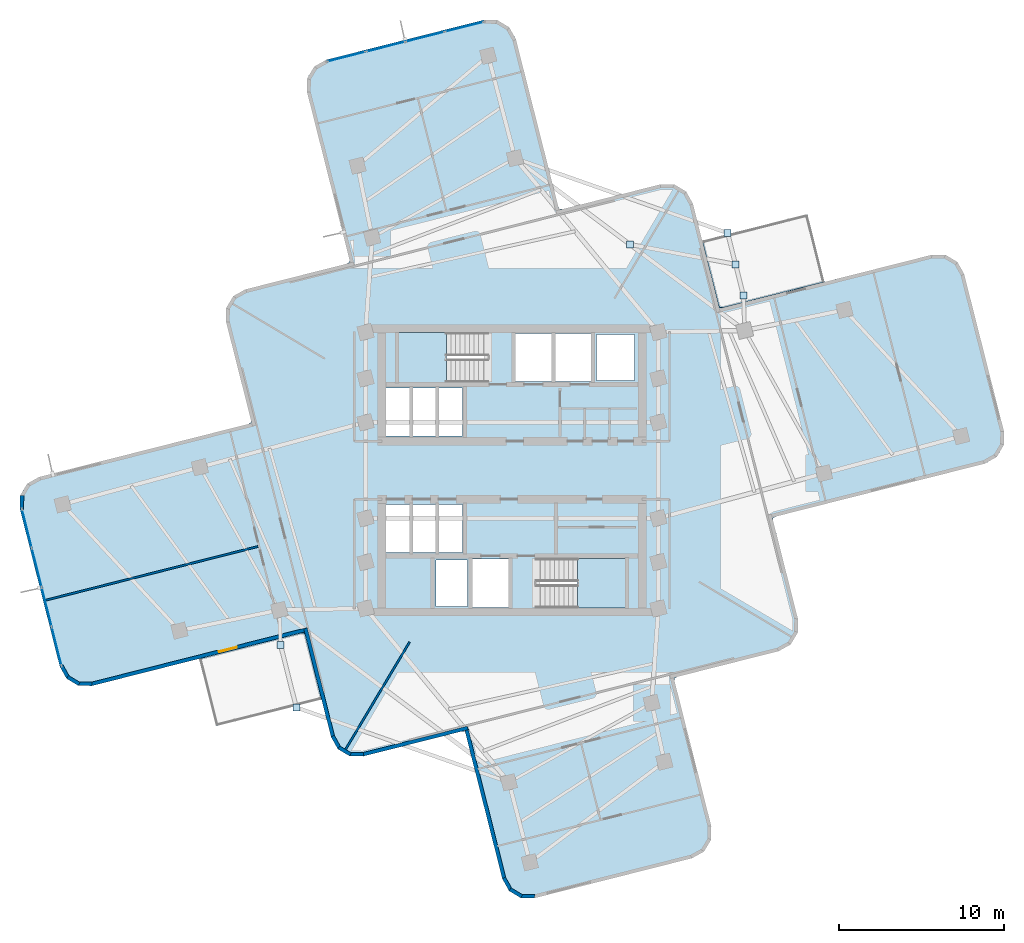
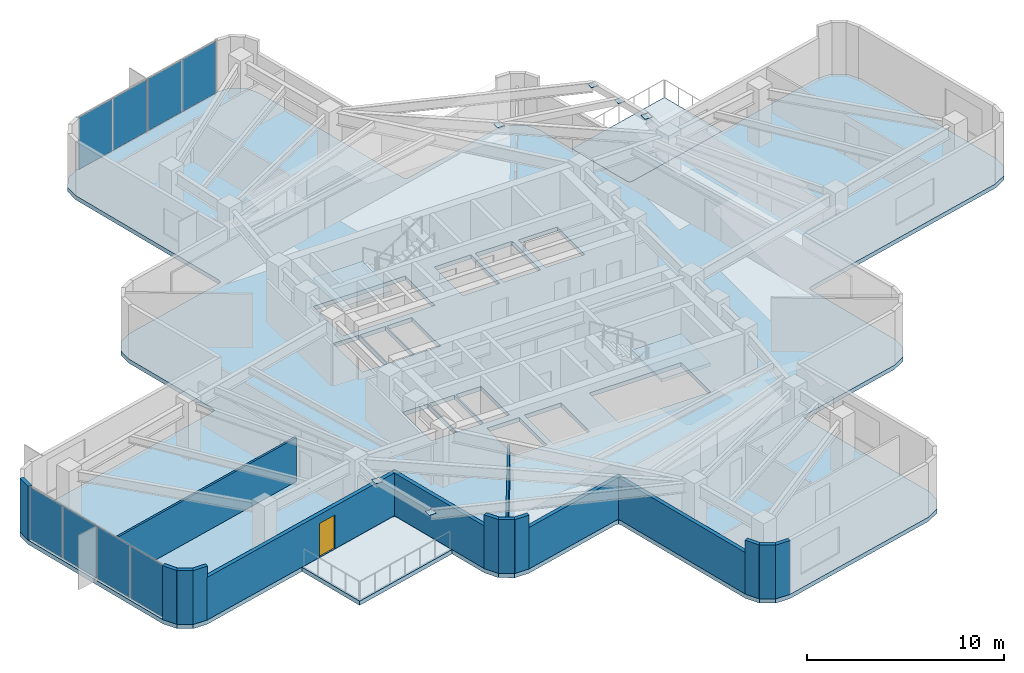
# One storey, part 5 of 11: 16 walls, 14 plates, 5 slabs, 1 door, 1 opening, 4 elements without a shape of their own.
"""IFC4 building model written with IfcOpenShell, lengths in metres."""

from ifc_helpers import new_model, si_unit, direction, frame, frame_2d, origin, origin_2d, place, context, subcontext, project, spatial, polyline, rectangle, outline, extrude, material, layer, layer_set, type_object, element, fill, aggregate, save


model = new_model("IFC4")

# Units and contexts
model_context = context("Model", 3, precision=1e-05, world=origin(), true_north=direction((0.0, 1.0)))
body_context = subcontext(model_context, "Body", "Model", "MODEL_VIEW")
ifc_project = project(units=[si_unit("LENGTHUNIT", "METRE"), si_unit("AREAUNIT", "SQUARE_METRE"), si_unit("VOLUMEUNIT", "CUBIC_METRE"), si_unit("PLANEANGLEUNIT", "RADIAN"), si_unit("MASSUNIT", "GRAM", prefix="KILO")], contexts=[model_context])

# Site, building, storey
site_placement = place(None, origin())
site = spatial("IfcSite", under=ifc_project, at=site_placement, CompositionType="ELEMENT")
building_placement = place(site_placement, origin())
building = spatial("IfcBuilding", under=site, at=building_placement, Name="Solmarez Civic Tower", CompositionType="ELEMENT")
storey_placement = place(building_placement, frame((0.0, 0.0, 127.080078125)))
storey = spatial("IfcBuildingStorey", under=building, at=storey_placement, Name="L33", CompositionType="ELEMENT", Elevation=127.080078125)

# Curtain wall, plates
ifc_material_1 = material(Name="Bronze Anodised Aluminium EN AW-6063 T6", Category="aluminium")
ifc_layer_1 = layer(ifc_material_1, 0.155029296875)
ifc_layer_set_1 = layer_set([ifc_layer_1], Name="Bronze Anodised Aluminium EN AW-6063 T6")
curtain_wall_type = type_object("IfcCurtainWallType", Name="CW-SYS-6", PredefinedType="NOTDEFINED", material=ifc_layer_set_1)
curtain_wall_1_placement = place(storey_placement, origin())
curtain_wall_1 = element("IfcCurtainWall", 1, at=curtain_wall_1_placement, inside=storey, type_object=curtain_wall_type, Name="L33 Stick-Built Curtain Wall 1", PredefinedType="NOTDEFINED")
ifc_material_2 = material(Name="Solar Control Low-E Laminated Vision Glass", Category="glass")
ifc_layer_2 = layer(ifc_material_2, 0.031982421875)
ifc_layer_set_2 = layer_set([ifc_layer_2], Name="Solar Control Low-E Laminated Vision Glass")
plate_type_1 = type_object("IfcPlateType", Name="CWP-GLAZ-32", PredefinedType="CURTAIN_PANEL", material=ifc_layer_set_2)
plate_1_placement = place(storey_placement, frame((-27.52099609375, -10.638427734375, 0.06005859375), z_axis=(0.0, 0.0, 1.0), x_axis=(-0.245308234417, 0.969445135181, 0.0)))
plate_1 = element("IfcPlate", 2, at=plate_1_placement, type_object=plate_type_1, Name="CWS6 panel 1.1", PredefinedType="CURTAIN_PANEL", context=body_context, shape_type="SweptSolid", body=[
    extrude(rectangle(XDim=2.355224609375, YDim=0.031982421875, at=origin_2d()), origin(), (0.0, 0.0, 1.0), 3.219970703125),
])
plate_2_placement = place(storey_placement, frame((-28.120361328125, -8.2705078125, 0.06005859375), z_axis=(0.0, 0.0, 1.0), x_axis=(-0.245308234417, 0.969445135181, 0.0)))
plate_2 = element("IfcPlate", 3, at=plate_2_placement, type_object=plate_type_1, Name="CWS6 panel 2.1", PredefinedType="CURTAIN_PANEL", context=body_context, shape_type="SweptSolid", body=[
    extrude(rectangle(XDim=2.39013671875, YDim=0.031982421875, at=origin_2d()), origin(), (0.0, 0.0, 1.0), 3.219970703125),
])
plate_3_placement = place(storey_placement, frame((-28.7236328125, -5.885498046875, 0.06005859375), z_axis=(0.0, 0.0, 1.0), x_axis=(-0.245308234417, 0.969445135181, 0.0)))
plate_3 = element("IfcPlate", 4, at=plate_3_placement, type_object=plate_type_1, Name="CWS6 panel 3.1", PredefinedType="CURTAIN_PANEL", context=body_context, shape_type="SweptSolid", body=[
    extrude(rectangle(XDim=2.39013671875, YDim=0.031982421875, at=origin_2d()), origin(), (0.0, 0.0, 1.0), 3.219970703125),
])
plate_4_placement = place(storey_placement, frame((-29.322998046875, -3.517578125, 0.06005859375), z_axis=(0.0, 0.0, 1.0), x_axis=(-0.245308234417, 0.969445135181, 0.0)))
plate_4 = element("IfcPlate", 5, at=plate_4_placement, type_object=plate_type_1, Name="CWS6 panel 4.1", PredefinedType="CURTAIN_PANEL", context=body_context, shape_type="SweptSolid", body=[
    extrude(rectangle(XDim=2.355224609375, YDim=0.031982421875, at=origin_2d()), origin(), (0.0, 0.0, 1.0), 3.219970703125),
])
aggregate(curtain_wall_1, [plate_1, plate_2, plate_3, plate_4])

curtain_wall_2_placement = place(storey_placement, origin())
curtain_wall_2 = element("IfcCurtainWall", 6, at=curtain_wall_2_placement, inside=storey, type_object=curtain_wall_type, Name="L33 Stick-Built Curtain Wall 2", PredefinedType="NOTDEFINED")
plate_5_placement = place(storey_placement, frame((-10.00146484375, 25.0009765625, 0.06005859375), z_axis=(0.0, 0.0, 1.0), x_axis=(0.969469297383, 0.245212726897, 0.0)))
plate_5 = element("IfcPlate", 7, at=plate_5_placement, type_object=plate_type_1, Name="CWS6 panel 1.1", PredefinedType="CURTAIN_PANEL", context=body_context, shape_type="SweptSolid", body=[
    extrude(rectangle(XDim=2.355224609375, YDim=0.031982421875, at=origin_2d()), origin(), (0.0, 0.0, 1.0), 3.219970703125),
])
plate_6_placement = place(storey_placement, frame((-7.633544921875, 25.599853515625, 0.06005859375), z_axis=(0.0, 0.0, 1.0), x_axis=(0.969469297383, 0.245212726897, 0.0)))
plate_6 = element("IfcPlate", 8, at=plate_6_placement, type_object=plate_type_1, Name="CWS6 panel 2.1", PredefinedType="CURTAIN_PANEL", context=body_context, shape_type="SweptSolid", body=[
    extrude(rectangle(XDim=2.39013671875, YDim=0.031982421875, at=origin_2d()), origin(), (0.0, 0.0, 1.0), 3.219970703125),
])
plate_7_placement = place(storey_placement, frame((-5.24853515625, 26.203125, 0.06005859375), z_axis=(0.0, 0.0, 1.0), x_axis=(0.969469297383, 0.245212726897, 0.0)))
plate_7 = element("IfcPlate", 9, at=plate_7_placement, type_object=plate_type_1, Name="CWS6 panel 3.1", PredefinedType="CURTAIN_PANEL", context=body_context, shape_type="SweptSolid", body=[
    extrude(rectangle(XDim=2.39013671875, YDim=0.031982421875, at=origin_2d()), origin(), (0.0, 0.0, 1.0), 3.219970703125),
])
plate_8_placement = place(storey_placement, frame((-2.88037109375, 26.802001953125, 0.06005859375), z_axis=(0.0, 0.0, 1.0), x_axis=(0.969469297383, 0.245212726897, 0.0)))
plate_8 = element("IfcPlate", 10, at=plate_8_placement, type_object=plate_type_1, Name="CWS6 panel 4.1", PredefinedType="CURTAIN_PANEL", context=body_context, shape_type="SweptSolid", body=[
    extrude(rectangle(XDim=2.355224609375, YDim=0.031982421875, at=origin_2d()), origin(), (0.0, 0.0, 1.0), 3.219970703125),
])
aggregate(curtain_wall_2, [plate_5, plate_6, plate_7, plate_8])

# Plates
ifc_material_3 = material(Name="Steel S355", Category="steel")
ifc_layer_3 = layer(ifc_material_3, 0.02392578125)
ifc_layer_set_3 = layer_set([ifc_layer_3], Name="Steel S355")
plate_type_2 = type_object("IfcPlateType", Name="PLT-CAP-380", PredefinedType="USERDEFINED", material=ifc_layer_set_3)
for number, where, z_axis, x_axis, name in (
    (11, (13.988037109375, 10.553955078125, 3.1279296875), (0.0, 0.0, 1.0), (1.0, 0.0, 0.0), "Steel Member End Cap Plate CAP-BM-L33-BALC-NEE-0"),
    (12, (13.031982421875, 14.3349609375, 3.1279296875), (0.0, 0.0, 1.0), (1.0, 0.0, 0.0), "Steel Member End Cap Plate CAP-BM-L33-BALC-NEE-1"),
    (13, (7.123046875, 13.652099609375, 3.1279296875), (0.0, 0.0, 1.0), (1.0, 0.0, 0.0), "Steel Member End Cap Plate CAP-BM-L33-BALC-NEM-0"),
    (14, (13.510009765625, 12.445068359375, 3.1279296875), (0.0, 0.0, 1.0), (1.0, 0.0, 0.0), "Steel Member End Cap Plate CAP-BM-L33-BALC-NEM-1"),
    (15, (-13.988037109375, -10.553955078125, 3.1279296875), (0.0, 0.0, 1.0), (1.0, 0.0, 0.0), "Steel Member End Cap Plate CAP-BM-L33-BALC-SWE-0"),
    (16, (-13.031982421875, -14.3349609375, 3.1279296875), (0.0, 0.0, 1.0), (1.0, 0.0, 0.0), "Steel Member End Cap Plate CAP-BM-L33-BALC-SWE-1"),
):
    element("IfcPlate", number, at=place(storey_placement, frame(where, z_axis=z_axis, x_axis=x_axis)), inside=storey, type_object=plate_type_2, Name=name, ObjectType="CAP_PLATE", PredefinedType="USERDEFINED", context=body_context, shape_type="SweptSolid", body=[
        extrude(rectangle(XDim=0.419921875, YDim=0.419921875, at=origin_2d()), origin(), (0.0, 0.0, 1.0), 0.02392578125),
    ])

# Stair, slab
ifc_material_4 = material(Name="Concrete C50/60", Category="concrete")
stair_type = type_object("IfcStairType", Name="STAIR-DOGLEG-140W-20R-1800", PredefinedType="HALF_TURN_STAIR", material=ifc_material_4)
stair_1_placement = place(storey_placement, origin())
stair_1 = element("IfcStair", 17, at=stair_1_placement, inside=storey, type_object=stair_type, Name="L33 North Core Protected Exit Stair ST-1", PredefinedType="HALF_TURN_STAIR")
ifc_layer_4 = layer(ifc_material_4, 0.199951171875)
ifc_layer_set_4 = layer_set([ifc_layer_4], Name="Concrete C50/60")
slab_type_1 = type_object("IfcSlabType", Name="SLAB-LANDING-200", PredefinedType="LANDING", material=ifc_layer_set_4)
slab_1_placement = place(storey_placement, frame((0.0, 0.0, 1.599853515625)))
slab_1 = element("IfcSlab", 18, at=slab_1_placement, type_object=slab_type_1, Name="ST-1 landing 1", PredefinedType="LANDING", context=body_context, shape_type="SweptSolid", body=[
    extrude(outline(polyline([(-3.969970703125, 8.320068359375), (-6.85009765625, 8.320068359375), (-6.85009765625, 5.320068359375), (-3.969970703125, 5.320068359375), (-3.969970703125, 8.320068359375)])), origin(), (0.0, 0.0, 1.0), 0.199951171875),
])
aggregate(stair_1, [slab_1])

stair_2_placement = place(storey_placement, origin())
stair_2 = element("IfcStair", 19, at=stair_2_placement, inside=storey, type_object=stair_type, Name="L33 South Core Protected Exit Stair ST-2", PredefinedType="HALF_TURN_STAIR")
slab_2_placement = place(storey_placement, frame((0.0, 0.0, 1.599853515625)))
slab_2 = element("IfcSlab", 20, at=slab_2_placement, type_object=slab_type_1, Name="ST-2 landing 1", PredefinedType="LANDING", context=body_context, shape_type="SweptSolid", body=[
    extrude(outline(polyline([(3.969970703125, -8.320068359375), (6.85009765625, -8.320068359375), (6.85009765625, -5.320068359375), (3.969970703125, -5.320068359375), (3.969970703125, -8.320068359375)])), origin(), (0.0, 0.0, 1.0), 0.199951171875),
])
aggregate(stair_2, [slab_2])

# Slabs
ifc_layer_5 = layer(ifc_material_4, 0.260009765625)
ifc_layer_set_5 = layer_set([ifc_layer_5], Name="Concrete C50/60")
slab_type_2 = type_object("IfcSlabType", Name="SLAB-TOWER-260", PredefinedType="FLOOR", material=ifc_layer_set_5)
slab_3_placement = place(storey_placement, frame((0.0, 0.0, -0.260009765625)))
element("IfcSlab", 21, at=slab_3_placement, inside=storey, type_object=slab_type_2, Name="L33 Structural Slab", PredefinedType="FLOOR", context=body_context, shape_type="SweptSolid", body=[
    extrude(outline(polyline([(-12.48388671875, -9.97802734375), (-10.928955078125, -16.1240234375), (-10.52490234375, -16.846923828125), (-9.81298828125, -17.27099609375), (-8.985107421875, -17.281982421875), (-3.052978515625, -15.781005859375), (-2.881103515625, -15.782958984375), (-2.797119140625, -15.93408203125), (-0.5791015625, -24.697021484375), (-0.175048828125, -25.419921875), (0.535888671875, -25.843994140625), (1.364013671875, -25.85498046875), (10.884033203125, -23.446044921875), (11.60693359375, -23.0419921875), (12.031005859375, -22.3310546875), (12.04296875, -21.5029296875), (9.824951171875, -12.739990234375), (9.827880859375, -12.568115234375), (9.97802734375, -12.48388671875), (16.1240234375, -10.928955078125), (16.846923828125, -10.52490234375), (17.27099609375, -9.81298828125), (17.281982421875, -8.985107421875), (15.781005859375, -3.052978515625), (15.782958984375, -2.881103515625), (15.93408203125, -2.797119140625), (28.574951171875, 0.402099609375), (29.297119140625, 0.805908203125), (29.721923828125, 1.51708984375), (29.73291015625, 2.344970703125), (27.323974609375, 11.864990234375), (26.919921875, 12.587890625), (26.208984375, 13.011962890625), (25.381103515625, 13.02392578125), (12.739990234375, 9.824951171875), (12.568115234375, 9.827880859375), (12.48388671875, 9.97802734375), (10.928955078125, 16.1240234375), (10.52490234375, 16.846923828125), (9.81298828125, 17.27099609375), (8.985107421875, 17.281982421875), (3.052978515625, 15.781005859375), (2.881103515625, 15.782958984375), (2.797119140625, 15.93408203125), (0.236083984375, 26.053955078125), (-0.16796875, 26.777099609375), (-0.87890625, 27.200927734375), (-1.7080078125, 27.212890625), (-11.22802734375, 24.803955078125), (-11.950927734375, 24.39990234375), (-12.375, 23.68798828125), (-12.385986328125, 22.860107421875), (-9.824951171875, 12.739990234375), (-9.827880859375, 12.568115234375), (-9.97802734375, 12.48388671875), (-16.1240234375, 10.928955078125), (-16.846923828125, 10.52490234375), (-17.27099609375, 9.81298828125), (-17.281982421875, 8.985107421875), (-15.781005859375, 3.052978515625), (-15.782958984375, 2.881103515625), (-15.93408203125, 2.797119140625), (-28.574951171875, -0.402099609375), (-29.297119140625, -0.805908203125), (-29.721923828125, -1.51708984375), (-29.73291015625, -2.344970703125), (-27.323974609375, -11.864990234375), (-26.919921875, -12.587890625), (-26.208984375, -13.011962890625), (-25.381103515625, -13.02392578125), (-12.739990234375, -9.824951171875), (-12.568115234375, -9.827880859375), (-12.48388671875, -9.97802734375)]), holes=[polyline([(-1.449951171875, 8.320068359375), (-6.85009765625, 8.320068359375), (-6.85009765625, 5.320068359375), (-1.449951171875, 5.320068359375), (-1.449951171875, 8.320068359375)]), polyline([(1.449951171875, -8.320068359375), (6.85009765625, -8.320068359375), (6.85009765625, -5.320068359375), (1.449951171875, -5.320068359375), (1.449951171875, -8.320068359375)]), polyline([(0.219970703125, 5.360107421875), (2.3798828125, 5.360107421875), (2.3798828125, 8.280029296875), (0.219970703125, 8.280029296875), (0.219970703125, 5.360107421875)]), polyline([(2.6201171875, 5.360107421875), (4.780029296875, 5.360107421875), (4.780029296875, 8.280029296875), (2.6201171875, 8.280029296875), (2.6201171875, 5.360107421875)]), polyline([(-2.3798828125, -8.280029296875), (-0.219970703125, -8.280029296875), (-0.219970703125, -5.360107421875), (-2.3798828125, -5.360107421875), (-2.3798828125, -8.280029296875)]), polyline([(-7.60009765625, -4.9599609375), (-6.1201171875, -4.9599609375), (-6.1201171875, -2.06005859375), (-7.60009765625, -2.06005859375), (-7.60009765625, -4.9599609375)]), polyline([(-6.0400390625, -4.9599609375), (-4.56005859375, -4.9599609375), (-4.56005859375, -2.06005859375), (-6.0400390625, -2.06005859375), (-6.0400390625, -4.9599609375)]), polyline([(-4.47998046875, -4.9599609375), (-3.0, -4.9599609375), (-3.0, -2.06005859375), (-4.47998046875, -2.06005859375), (-4.47998046875, -4.9599609375)]), polyline([(-7.60009765625, 2.06005859375), (-6.1201171875, 2.06005859375), (-6.1201171875, 4.9599609375), (-7.60009765625, 4.9599609375), (-7.60009765625, 2.06005859375)]), polyline([(-6.0400390625, 2.06005859375), (-4.56005859375, 2.06005859375), (-4.56005859375, 4.9599609375), (-6.0400390625, 4.9599609375), (-6.0400390625, 2.06005859375)]), polyline([(-4.47998046875, 2.06005859375), (-3.0, 2.06005859375), (-3.0, 4.9599609375), (-4.47998046875, 4.9599609375), (-4.47998046875, 2.06005859375)]), polyline([(5.10009765625, 5.419921875), (7.39990234375, 5.419921875), (7.39990234375, 8.219970703125), (5.10009765625, 8.219970703125), (5.10009765625, 5.419921875)]), polyline([(-4.60009765625, -8.219970703125), (-2.699951171875, -8.219970703125), (-2.699951171875, -5.419921875), (-4.60009765625, -5.419921875), (-4.60009765625, -8.219970703125)])]), origin(), (0.0, 0.0, 1.0), 0.260009765625),
])
slab_4_placement = place(storey_placement, frame((0.0, 0.0, -0.260009765625)))
element("IfcSlab", 22, at=slab_4_placement, inside=storey, type_object=slab_type_2, Name="L33 Re-entrant Corner Winter-Garden Balcony NE", PredefinedType="FLOOR", context=body_context, shape_type="SweptSolid", body=[
    extrude(outline(polyline([(11.507080078125, 13.845947265625), (12.486083984375, 9.97900390625), (12.569091796875, 9.830078125), (12.739013671875, 9.826904296875), (18.885009765625, 11.382080078125), (17.85498046875, 15.451904296875), (11.507080078125, 13.845947265625)])), origin(), (0.0, 0.0, 1.0), 0.260009765625),
])
slab_5_placement = place(storey_placement, frame((0.0, 0.0, -0.260009765625)))
element("IfcSlab", 23, at=slab_5_placement, inside=storey, type_object=slab_type_2, Name="L33 Re-entrant Corner Winter-Garden Balcony SW", PredefinedType="FLOOR", context=body_context, shape_type="SweptSolid", body=[
    extrude(outline(polyline([(-11.507080078125, -13.845947265625), (-12.486083984375, -9.97900390625), (-12.569091796875, -9.830078125), (-12.739013671875, -9.826904296875), (-18.885009765625, -11.382080078125), (-17.85498046875, -15.451904296875), (-11.507080078125, -13.845947265625)])), origin(), (0.0, 0.0, 1.0), 0.260009765625),
])

# Wall, opening, door
ifc_material_5 = material(Name="Precast concrete C40/50", Category="concrete")
ifc_layer_6 = layer(ifc_material_5, 0.219970703125)
ifc_layer_set_6 = layer_set([ifc_layer_6], Name="Precast concrete C40/50")
wall_type_1 = type_object("IfcWallType", Name="WALL-EXT-220", PredefinedType="SOLIDWALL", material=ifc_layer_set_6)
wall_1_placement = place(storey_placement, frame((-12.37109375, -9.617919921875, 0.0), z_axis=(0.0, 0.0, 1.0), x_axis=(-0.969434127448, -0.245351732293, 0.0)))
wall_1 = element("IfcWall", 24, at=wall_1_placement, inside=storey, type_object=wall_type_1, Name="L33 Exterior Precast Wall 2", PredefinedType="SOLIDWALL", context=body_context, shape_type="SweptSolid", body=[
    extrude(rectangle(XDim=13.458251953125, YDim=0.219970703125, at=frame_2d((6.72900390625, 0.0))), origin(), (0.0, 0.0, 1.0), 2.64404296875),
])
opening_placement = place(wall_1_placement, frame((4.39990234375, 0.0, 0.0)))
opening = element("IfcOpeningElement", 25, at=opening_placement, cuts=wall_1, Name="Opening D-06", PredefinedType="OPENING", context=body_context, shape_type="SweptSolid", body=[
    extrude(rectangle(XDim=1.10009765625, YDim=2.10009765625, at=frame_2d((0.550048828125, 1.050048828125))), frame((0.0, 0.119873046875, 0.0), z_axis=(0.0, -1.0, 0.0), x_axis=(1.0, 0.0, 0.0)), (0.0, 0.0, 1.0), 0.239990234375),
])
ifc_material_6 = material(Name="Bronze Anodised Aluminium Glazed Terrace Door", Category="aluminium")
door_type = type_object("IfcDoorType", Name="DOOR-TERR-1100", OperationType="NOTDEFINED", PredefinedType="DOOR", material=ifc_material_6)
door_placement = place(opening_placement, origin())
door = element("IfcDoor", 26, at=door_placement, inside=storey, type_object=door_type, Name="L33 Outdoor Terrace Glazed Door", OperationType="SINGLE_SWING_RIGHT", OverallHeight=2.10009765625, OverallWidth=1.10009765625, PredefinedType="DOOR", context=body_context, shape_type="SweptSolid", body=[
    extrude(rectangle(XDim=1.10009765625, YDim=2.10009765625, at=frame_2d((0.550048828125, 1.050048828125))), frame((0.0, 0.02490234375, 0.0), z_axis=(0.0, -1.0, 0.0), x_axis=(1.0, 0.0, 0.0)), (0.0, 0.0, 1.0), 0.050048828125),
])
fill(opening, door)

# Walls
wall_2_placement = place(storey_placement, frame((-25.368896484375, -12.9140625, 0.0), z_axis=(0.0, 0.0, 1.0), x_axis=(-0.999913243347, 0.013172159236, 0.0)))
element("IfcWall", 27, at=wall_2_placement, inside=storey, type_object=wall_type_1, Name="L33 Exterior Precast Wall 3", PredefinedType="SOLIDWALL", context=body_context, shape_type="SweptSolid", body=[
    extrude(rectangle(XDim=0.833984375, YDim=0.219970703125, at=frame_2d((0.4169921875, 0.0))), origin(), (0.0, 0.0, 1.0), 3.33984375),
])
wall_3_placement = place(storey_placement, frame((-26.156982421875, -12.916015625, 0.0), z_axis=(0.0, 0.0, 1.0), x_axis=(-0.858543269067, 0.512741119026, 0.0)))
element("IfcWall", 28, at=wall_3_placement, inside=storey, type_object=wall_type_1, Name="L33 Exterior Precast Wall 4", PredefinedType="SOLIDWALL", context=body_context, shape_type="SweptSolid", body=[
    extrude(rectangle(XDim=0.819091796875, YDim=0.219970703125, at=frame_2d((0.40966796875, 0.0))), origin(), (0.0, 0.0, 1.0), 3.33984375),
])
wall_4_placement = place(storey_placement, frame((-26.826904296875, -12.531005859375, 0.0), z_axis=(0.0, 0.0, 1.0), x_axis=(-0.486561807946, 0.873646156661, 0.0)))
element("IfcWall", 29, at=wall_4_placement, inside=storey, type_object=wall_type_1, Name="L33 Exterior Precast Wall 5", PredefinedType="SOLIDWALL", context=body_context, shape_type="SweptSolid", body=[
    extrude(rectangle(XDim=0.83447265625, YDim=0.219970703125, at=frame_2d((0.417236328125, 0.0))), origin(), (0.0, 0.0, 1.0), 3.33984375),
])
for number, where, z_axis, x_axis, name in (
    (30, (-29.623046875, -2.35693359375, 0.0), (0.0, 0.0, 1.0), (0.013172159236, 0.999913243347, 0.0), "L33 Exterior Precast Wall 7"),
    (31, (1.3759765625, -25.7451171875, 0.0), (0.0, 0.0, 1.0), (-0.999909345183, 0.013464821393, 0.0), "L33 Exterior Precast Wall 61"),
):
    element("IfcWall", number, at=place(storey_placement, frame(where, z_axis=z_axis, x_axis=x_axis)), inside=storey, type_object=wall_type_1, Name=name, PredefinedType="SOLIDWALL", context=body_context, shape_type="SweptSolid", body=[
        extrude(rectangle(XDim=0.833984375, YDim=0.219970703125, at=frame_2d((0.4169921875, 0.0))), origin(), (0.0, 0.0, 1.0), 3.33984375),
    ])
wall_5_placement = place(storey_placement, frame((0.587890625, -25.7470703125, 0.0), z_axis=(0.0, 0.0, 1.0), x_axis=(-0.858333573747, 0.513092073782, 0.0)))
element("IfcWall", 32, at=wall_5_placement, inside=storey, type_object=wall_type_1, Name="L33 Exterior Precast Wall 62", PredefinedType="SOLIDWALL", context=body_context, shape_type="SweptSolid", body=[
    extrude(rectangle(XDim=0.81884765625, YDim=0.219970703125, at=frame_2d((0.409423828125, 0.0))), origin(), (0.0, 0.0, 1.0), 3.33984375),
])
wall_6_placement = place(storey_placement, frame((-0.08203125, -25.362060546875, 0.0), z_axis=(0.0, 0.0, 1.0), x_axis=(-0.487059722252, 0.87336866612, 0.0)))
element("IfcWall", 33, at=wall_6_placement, inside=storey, type_object=wall_type_1, Name="L33 Exterior Precast Wall 63", PredefinedType="SOLIDWALL", context=body_context, shape_type="SweptSolid", body=[
    extrude(rectangle(XDim=0.83349609375, YDim=0.219970703125, at=frame_2d((0.416748046875, 0.0))), origin(), (0.0, 0.0, 1.0), 3.33984375),
])
wall_7_placement = place(storey_placement, frame((-0.469970703125, -24.679931640625, 0.0), z_axis=(0.0, 0.0, 1.0), x_axis=(-0.245401293719, 0.969421582719, 0.0)))
element("IfcWall", 34, at=wall_7_placement, inside=storey, type_object=wall_type_1, Name="L33 Exterior Precast Wall 64", PredefinedType="SOLIDWALL", context=body_context, shape_type="SweptSolid", body=[
    extrude(rectangle(XDim=9.458251953125, YDim=0.219970703125, at=frame_2d((4.72900390625, 0.0))), origin(), (0.0, 0.0, 1.0), 2.56982421875),
])
wall_8_placement = place(storey_placement, frame((-2.68408203125, -15.573974609375, 0.0), z_axis=(0.0, 0.0, 1.0), x_axis=(-0.969435490349, -0.245346347134, 0.0)))
element("IfcWall", 35, at=wall_8_placement, inside=storey, type_object=wall_type_1, Name="L33 Exterior Precast Wall 67", PredefinedType="SOLIDWALL", context=body_context, shape_type="SweptSolid", body=[
    extrude(rectangle(XDim=6.53759765625, YDim=0.219970703125, at=frame_2d((3.268798828125, 0.0))), origin(), (0.0, 0.0, 1.0), 2.56982421875),
])
wall_9_placement = place(storey_placement, frame((-8.972900390625, -17.172119140625, 0.0), z_axis=(0.0, 0.0, 1.0), x_axis=(-0.999909345183, 0.013464821393, 0.0)))
element("IfcWall", 36, at=wall_9_placement, inside=storey, type_object=wall_type_1, Name="L33 Exterior Precast Wall 68", PredefinedType="SOLIDWALL", context=body_context, shape_type="SweptSolid", body=[
    extrude(rectangle(XDim=0.833984375, YDim=0.219970703125, at=frame_2d((0.4169921875, 0.0))), origin(), (0.0, 0.0, 1.0), 3.33984375),
])
wall_10_placement = place(storey_placement, frame((-9.760986328125, -17.174072265625, 0.0), z_axis=(0.0, 0.0, 1.0), x_axis=(-0.858412031951, 0.512960801038, 0.0)))
element("IfcWall", 37, at=wall_10_placement, inside=storey, type_object=wall_type_1, Name="L33 Exterior Precast Wall 69", PredefinedType="SOLIDWALL", context=body_context, shape_type="SweptSolid", body=[
    extrude(rectangle(XDim=0.819091796875, YDim=0.219970703125, at=frame_2d((0.40966796875, 0.0))), origin(), (0.0, 0.0, 1.0), 3.33984375),
])
wall_11_placement = place(storey_placement, frame((-10.430908203125, -16.7890625, 0.0), z_axis=(0.0, 0.0, 1.0), x_axis=(-0.487952561671, 0.872870149311, 0.0)))
element("IfcWall", 38, at=wall_11_placement, inside=storey, type_object=wall_type_1, Name="L33 Exterior Precast Wall 70", PredefinedType="SOLIDWALL", context=body_context, shape_type="SweptSolid", body=[
    extrude(rectangle(XDim=0.833984375, YDim=0.219970703125, at=frame_2d((0.4169921875, 0.0))), origin(), (0.0, 0.0, 1.0), 3.33984375),
])
wall_12_placement = place(storey_placement, frame((-10.820068359375, -16.10693359375, 0.0), z_axis=(0.0, 0.0, 1.0), x_axis=(-0.245314006561, 0.969443674581, 0.0)))
element("IfcWall", 39, at=wall_12_placement, inside=storey, type_object=wall_type_1, Name="L33 Exterior Precast Wall 71", PredefinedType="SOLIDWALL", context=body_context, shape_type="SweptSolid", body=[
    extrude(rectangle(XDim=6.758544921875, YDim=0.219970703125, at=frame_2d((3.37939453125, 0.0))), origin(), (0.0, 0.0, 1.0), 2.64404296875),
])
ifc_material_7 = material(Name="Gypsum Board Acoustic Steel-Stud Partition", Category="steel")
ifc_layer_7 = layer(ifc_material_7, 0.1201171875)
ifc_layer_set_7 = layer_set([ifc_layer_7], Name="Gypsum Board Acoustic Steel-Stud Partition")
wall_type_2 = type_object("IfcWallType", Name="WALL-INT-PART-120", PredefinedType="PARTITIONING", material=ifc_layer_set_7)
wall_13_placement = place(storey_placement, frame((-6.18798828125, -10.3798828125, 0.0), z_axis=(0.0, 0.0, 1.0), x_axis=(-0.511972353143, -0.859001926434, 0.0)))
element("IfcWall", 40, at=wall_13_placement, inside=storey, type_object=wall_type_2, Name="L33 Interior Partition PT-L33-QDIV-3", PredefinedType="PARTITIONING", context=body_context, shape_type="SweptSolid", body=[
    extrude(rectangle(XDim=7.59033203125, YDim=0.1201171875, at=frame_2d((3.795166015625, 0.0))), origin(), (0.0, 0.0, 1.0), 2.56982421875),
])
wall_14_placement = place(storey_placement, frame((-15.339111328125, -4.60400390625, 0.0), z_axis=(0.0, 0.0, 1.0), x_axis=(-0.969461701565, -0.245242755651, 0.0)))
element("IfcWall", 41, at=wall_14_placement, inside=storey, type_object=wall_type_2, Name="L33 Interior Partition PT-L33-W-TM3", PredefinedType="PARTITIONING", context=body_context, shape_type="SweptSolid", body=[
    extrude(rectangle(XDim=13.21533203125, YDim=0.1201171875, at=frame_2d((6.607666015625, 0.0))), origin(), (0.0, 0.0, 1.0), 2.719970703125),
])

save(model, "model.ifc")
